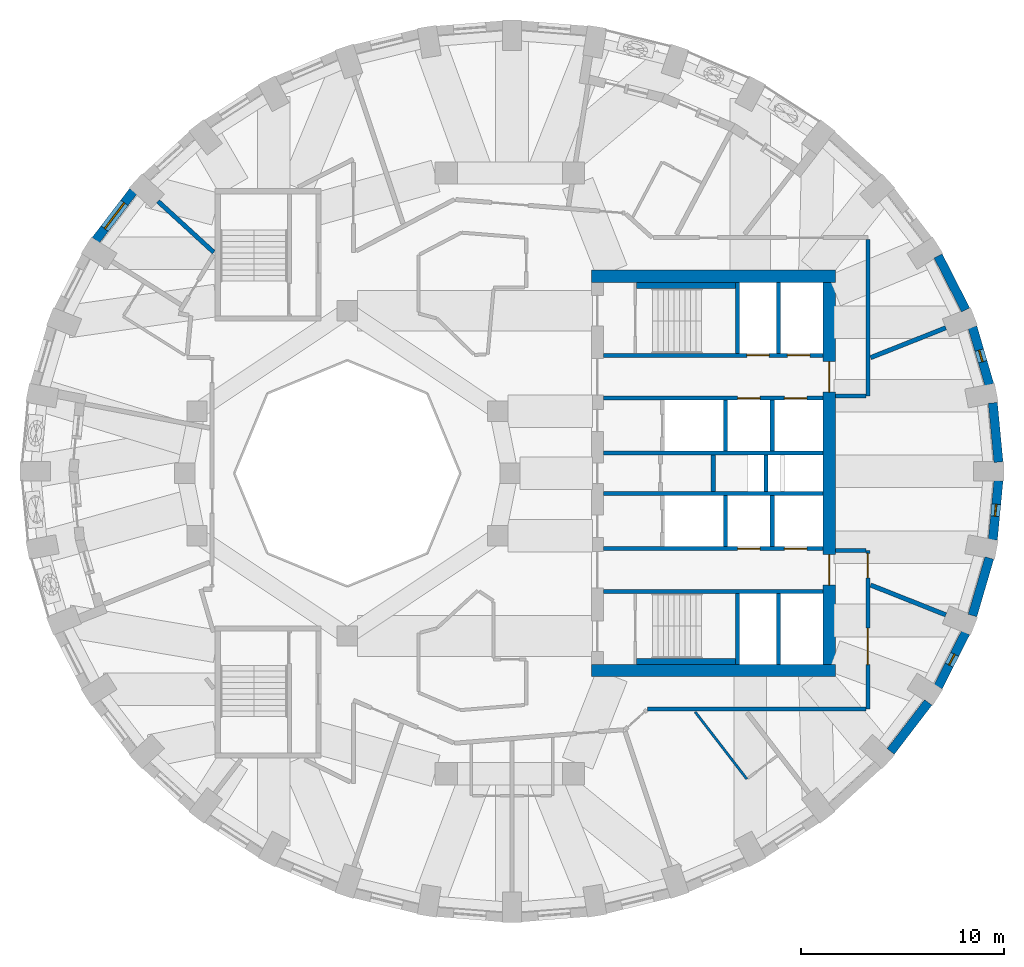
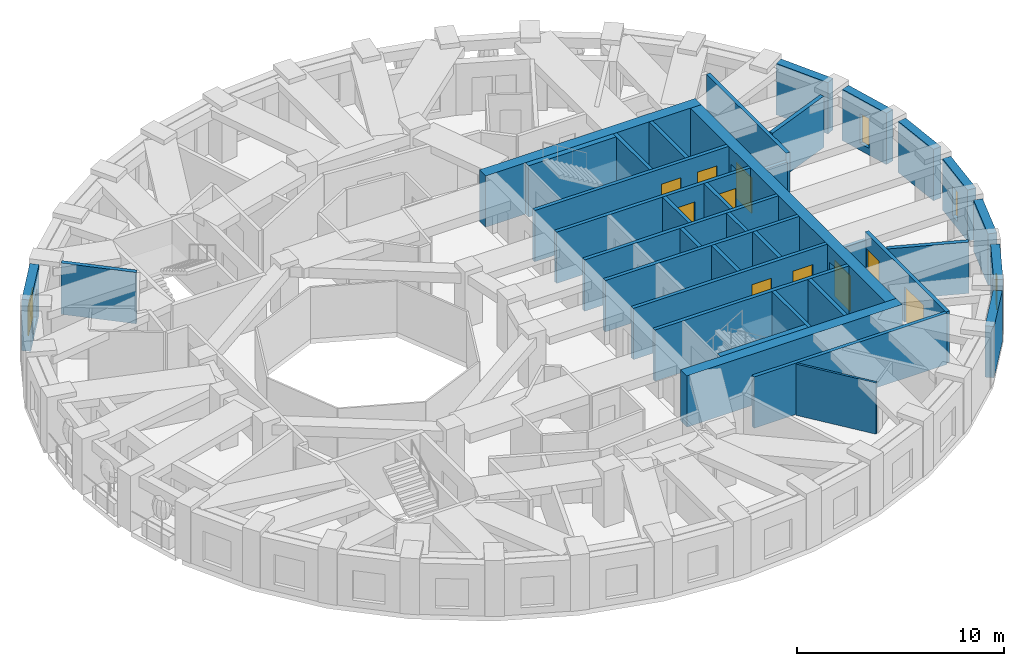
# One storey, part 6 of 12: 38 walls, 10 doors, 4 windows, 14 openings.
"""IFC4 building model written with IfcOpenShell, lengths in metres."""

import ifcopenshell
import ifcopenshell.guid

model = None  # the IFC model being written
_history = None  # IfcOwnerHistory: only IFC2X3 demands one
_inside = {}  # id of a spatial element -> (the spatial element, [elements in it])
_under = {}  # id of a project, library or spatial element -> (it, [spatial elements below it])
_declared = {}  # id of a project -> (the project, [libraries it declares])
_typed = {}  # id of a type object -> (the type object, [elements of that type])
_made_of = {}  # id of a material, layer set ... -> (it, [elements and type objects made of it])


def new_model(schema):
    """Start an empty IFC model of exactly this schema.

    Asked for "IFC4X3", IfcOpenShell would pick the latest addendum, in which some entities
    have other attributes; the version numbers below select the first issue.
    IFC2X3 requires an IfcOwnerHistory on every rooted entity: one is made here for all.
    """
    global model, _history
    if schema == "IFC4X3":
        model = ifcopenshell.file(schema_version=(4, 3, 0, 0))
    else:
        model = ifcopenshell.file(schema=schema)
    _inside.clear()
    _under.clear()
    _declared.clear()
    _typed.clear()
    _made_of.clear()
    _history = None
    if model.schema == "IFC2X3":
        org = make("IfcOrganization", Name="unknown")
        user = make(
            "IfcPersonAndOrganization",
            ThePerson=make("IfcPerson", FamilyName="unknown"),
            TheOrganization=org,
        )
        app = make(
            "IfcApplication",
            ApplicationDeveloper=org,
            Version="unknown",
            ApplicationFullName="unknown",
            ApplicationIdentifier="unknown",
        )
        _history = make(
            "IfcOwnerHistory",
            OwningUser=user,
            OwningApplication=app,
            ChangeAction="ADDED",
            CreationDate=0,
        )
    return model


def make(cls, **values):
    """One entity of the class cls with the attributes given. An attribute that is None is left unset."""
    return model.create_entity(
        cls, **{name: value for name, value in values.items() if value is not None}
    )


def rooted(cls, **values):
    """An entity with a GlobalId (a new one), such as an element, a storey or a relation."""
    return make(cls, GlobalId=ifcopenshell.guid.new(), OwnerHistory=_history, **values)


def si_unit(unit_type, name, prefix=None):
    """IfcSIUnit, for example si_unit("LENGTHUNIT", "METRE", prefix="MILLI")."""
    return make("IfcSIUnit", UnitType=unit_type, Prefix=prefix, Name=name)


def assignment(units):
    """IfcUnitAssignment: the units of a project."""
    return None if units is None else make("IfcUnitAssignment", Units=units)


def point(xyz):
    """IfcCartesianPoint."""
    return None if xyz is None else make("IfcCartesianPoint", Coordinates=xyz)


def direction(xyz):
    """IfcDirection."""
    return None if xyz is None else make("IfcDirection", DirectionRatios=xyz)


def frame(location, z_axis=None, x_axis=None):
    """IfcAxis2Placement3D, a coordinate frame: its origin and axes. An axis left out is left unset."""
    return make(
        "IfcAxis2Placement3D",
        Location=point(location),
        Axis=direction(z_axis),
        RefDirection=direction(x_axis),
    )


def frame_2d(location, x_axis=None):
    """IfcAxis2Placement2D, a coordinate frame in the plane: its origin and x axis."""
    return make(
        "IfcAxis2Placement2D", Location=point(location), RefDirection=direction(x_axis)
    )


def origin():
    """The frame at (0, 0, 0) with its axes left unset."""
    return frame((0.0, 0.0, 0.0))


def place(relative_to, where):
    """IfcLocalPlacement: puts the frame where relative to a parent placement (None: the world)."""
    return make(
        "IfcLocalPlacement", PlacementRelTo=relative_to, RelativePlacement=where
    )


def context(
    kind, dimensions, precision=None, world=None, true_north=None, identifier=None
):
    """IfcGeometricRepresentationContext, for example the 3D "Model" context."""
    return make(
        "IfcGeometricRepresentationContext",
        ContextIdentifier=identifier,
        ContextType=kind,
        CoordinateSpaceDimension=dimensions,
        Precision=precision,
        WorldCoordinateSystem=world,
        TrueNorth=true_north,
    )


def subcontext(parent, identifier, kind, view, scale=None):
    """IfcGeometricRepresentationSubContext, for example "Body" below "Model"."""
    return make(
        "IfcGeometricRepresentationSubContext",
        ContextIdentifier=identifier,
        ContextType=kind,
        ParentContext=parent,
        TargetScale=scale,
        TargetView=view,
    )


def project(units=None, contexts=None):
    """IfcProject with its units and contexts."""
    return rooted(
        "IfcProject",
        Name="project",
        RepresentationContexts=contexts,
        UnitsInContext=assignment(units),
    )


def spatial(cls, under=None, at=None, **own):
    """A site, building, storey or space (cls), placed at a placement, below another one or the project."""
    s = rooted(cls, ObjectPlacement=at, **own)
    if under is not None:
        _under.setdefault(under.id(), (under, []))[1].append(s)
    return s


def profile(cls, at=None, kind="AREA", **sizes):
    """A parametric profile (cls). Its sizes go by their IFC names, for example OverallWidth=200.0."""
    return make(cls, ProfileType=kind, Position=at, **sizes)


def rectangle(**sizes):
    """IfcRectangleProfileDef."""
    return profile("IfcRectangleProfileDef", **sizes)


def extrude(swept, where, along, depth):
    """IfcExtrudedAreaSolid: the profile swept, set in the frame where, extruded along a direction by depth."""
    return make(
        "IfcExtrudedAreaSolid",
        SweptArea=swept,
        Position=where,
        ExtrudedDirection=direction(along),
        Depth=depth,
    )


def shape(context_of_items, identifier, shape_type, items):
    """IfcShapeRepresentation: the items that make up one representation, for example the "Body"."""
    return make(
        "IfcShapeRepresentation",
        ContextOfItems=context_of_items,
        RepresentationIdentifier=identifier,
        RepresentationType=shape_type,
        Items=items,
    )


def material(Name=None, Category=None):
    """IfcMaterial."""
    return make("IfcMaterial", Name=Name, Category=Category)


def layer(
    of_material, thickness, ventilated=None, Name=None, Category=None, Priority=None
):
    """IfcMaterialLayer: one layer of a wall or slab, of a material (None: an air gap)."""
    return make(
        "IfcMaterialLayer",
        Material=of_material,
        LayerThickness=thickness,
        IsVentilated=ventilated,
        Name=Name,
        Category=Category,
        Priority=Priority,
    )


def layer_set(layers, Name=None):
    """IfcMaterialLayerSet."""
    return make("IfcMaterialLayerSet", MaterialLayers=layers, LayerSetName=Name)


def made_of(thing, what):
    """Note that an element or type object is made of a material, layer set ...; save() writes the relation."""
    if what is not None:
        _made_of.setdefault(what.id(), (what, []))[1].append(thing)
    return thing


def type_object(cls, material=None, **own):
    """A type object (cls), such as IfcWallType, which elements share."""
    return made_of(rooted(cls, **own), material)


def element(
    cls,
    number,
    at=None,
    inside=None,
    cuts=None,
    type_object=None,
    material=None,
    context=None,
    identifier="Body",
    shape_type=None,
    held_by="IfcProductDefinitionShape",
    body=None,
    shapes=None,
    **own,
):
    """One element of the class cls, such as IfcWall. Its Tag is "e" and its number.

    at: its placement. inside: the storey or other place that contains it. cuts: it is an
    opening in that element (IfcRelVoidsElement). A single representation is given by context,
    identifier, shape_type and body (its items); several are given by shapes. held_by: the class
    of the entity that holds the representations. save() writes the other relations.
    """
    e = rooted(cls, Tag="e%d" % number, ObjectPlacement=at, **own)
    if body is not None:
        shapes = [shape(context, identifier, shape_type, body)]
    if shapes is not None:
        e.Representation = make(held_by, Representations=shapes)
    if inside is not None:
        _inside.setdefault(inside.id(), (inside, []))[1].append(e)
    if cuts is not None:
        rooted(
            "IfcRelVoidsElement", RelatingBuildingElement=cuts, RelatedOpeningElement=e
        )
    if type_object is not None:
        _typed.setdefault(type_object.id(), (type_object, []))[1].append(e)
    return made_of(e, material)


def fill(opening, filler):
    """IfcRelFillsElement: the door or window that sits in an opening."""
    return rooted(
        "IfcRelFillsElement",
        RelatingOpeningElement=opening,
        RelatedBuildingElement=filler,
    )


def aggregate(whole, parts):
    """IfcRelAggregates: a whole, such as a stair, and the parts it consists of."""
    return rooted("IfcRelAggregates", RelatingObject=whole, RelatedObjects=parts)


def save(model, path):
    """Write the relations noted so far, then the file.

    IfcRelAggregates (storeys below a building ...), IfcRelContainedInSpatialStructure (elements
    in a storey), IfcRelDefinesByType, IfcRelAssociatesMaterial and IfcRelDeclares: one each for
    every whole, place, type object, material and project.
    """
    for whole, parts in _under.values():
        aggregate(whole, parts)
    for where, things in _inside.values():
        rooted(
            "IfcRelContainedInSpatialStructure",
            RelatedElements=things,
            RelatingStructure=where,
        )
    for kind, things in _typed.values():
        rooted("IfcRelDefinesByType", RelatedObjects=things, RelatingType=kind)
    for what, things in _made_of.values():
        rooted("IfcRelAssociatesMaterial", RelatedObjects=things, RelatingMaterial=what)
    for by, libraries in _declared.values():
        rooted("IfcRelDeclares", RelatingContext=by, RelatedDefinitions=libraries)
    model.write(path)


model = new_model("IFC4")

# Units and contexts
model_context = context("Model", 3, precision=1e-05, world=origin(), true_north=direction((0.0, 1.0)))
body_context = subcontext(model_context, "Body", "Model", "MODEL_VIEW")
ifc_project = project(units=[si_unit("LENGTHUNIT", "METRE"), si_unit("AREAUNIT", "SQUARE_METRE"), si_unit("VOLUMEUNIT", "CUBIC_METRE"), si_unit("PLANEANGLEUNIT", "RADIAN"), si_unit("MASSUNIT", "GRAM", prefix="KILO")], contexts=[model_context])

# Site, building, storey
site_placement = place(None, origin())
site = spatial("IfcSite", under=ifc_project, at=site_placement, CompositionType="ELEMENT")
building_placement = place(site_placement, origin())
building = spatial("IfcBuilding", under=site, at=building_placement, Name="Taillehof Tower", CompositionType="ELEMENT")
storey_placement = place(building_placement, frame((0.0, 0.0, 151.699951171875)))
storey = spatial("IfcBuildingStorey", under=building, at=storey_placement, Name="L42", CompositionType="ELEMENT", Elevation=151.699951171875)

# Wall
ifc_material_1 = material(Name="Brick masonry", Category="masonry")
ifc_layer_1 = layer(ifc_material_1, 0.449951171875)
ifc_layer_set_1 = layer_set([ifc_layer_1], Name="Brick infill wall 450")
wall_type_1 = type_object("IfcWallType", Name="Brick infill wall 450", PredefinedType="SOLIDWALL", material=ifc_layer_set_1)
wall_1_placement = place(storey_placement, frame((24.030517578125, 0.55517578125, 0.0), z_axis=(0.0, 0.0, 1.0), x_axis=(-0.095265737322, 0.995451876935, 0.0)))
element("IfcWall", 1, at=wall_1_placement, inside=storey, type_object=wall_type_1, Name="Brick wall L42 bay 1", PredefinedType="SOLIDWALL", context=body_context, shape_type="SweptSolid", body=[
    extrude(rectangle(XDim=2.9267578125, YDim=0.449951171875, at=frame_2d((1.46337890625, 0.0))), origin(), (0.0, 0.0, 1.0), 3.02001953125),
])

# Wall, opening, window
wall_2_placement = place(storey_placement, frame((23.579833984375, 4.3623046875, 0.0), z_axis=(0.0, 0.0, 1.0), x_axis=(-0.281049481624, 0.959693278542, 0.0)))
wall_2 = element("IfcWall", 2, at=wall_2_placement, inside=storey, type_object=wall_type_1, Name="Brick wall L42 bay 2", PredefinedType="SOLIDWALL", context=body_context, shape_type="SweptSolid", body=[
    extrude(rectangle(XDim=2.947509765625, YDim=0.449951171875, at=frame_2d((1.4736328125, 0.0))), origin(), (0.0, 0.0, 1.0), 3.02001953125),
])
opening_1_placement = place(wall_2_placement, frame((1.173583984375, 0.0, 0.39990234375)))
opening_1 = element("IfcOpeningElement", 3, at=opening_1_placement, cuts=wall_2, Name="Opening W6", PredefinedType="OPENING", context=body_context, shape_type="SweptSolid", body=[
    extrude(rectangle(XDim=0.60009765625, YDim=1.75, at=frame_2d((0.300048828125, 0.875))), frame((0.0, 0.23486328125, 0.0), z_axis=(0.0, -1.0, 0.0), x_axis=(1.0, 0.0, 0.0)), (0.0, 0.0, 1.0), 0.469970703125),
])
ifc_material_2 = material(Name="Aluminium window frame with clear double glazing", Category="aluminium")
window_type_1 = type_object("IfcWindowType", Name="Slot window 600x1750", PartitioningType="SINGLE_PANEL", PredefinedType="WINDOW", material=ifc_material_2)
window_1_placement = place(opening_1_placement, origin())
window_1 = element("IfcWindow", 4, at=window_1_placement, inside=storey, type_object=window_type_1, Name="W6", OverallHeight=1.75, OverallWidth=0.60009765625, PartitioningType="SINGLE_PANEL", PredefinedType="WINDOW", context=body_context, shape_type="SweptSolid", body=[
    extrude(rectangle(XDim=0.60009765625, YDim=1.75, at=frame_2d((0.300048828125, 0.875))), frame((0.0, 0.034912109375, 0.0), z_axis=(0.0, -1.0, 0.0), x_axis=(1.0, 0.0, 0.0)), (0.0, 0.0, 1.0), 0.06005859375),
])
fill(opening_1, window_1)

# Wall
wall_3_placement = place(storey_placement, frame((22.415283203125, 8.036865234375, 0.0), z_axis=(0.0, 0.0, 1.0), x_axis=(-0.454133999889, 0.890933392653, 0.0)))
element("IfcWall", 5, at=wall_3_placement, inside=storey, type_object=wall_type_1, Name="Brick wall L42 bay 3", PredefinedType="SOLIDWALL", context=body_context, shape_type="SweptSolid", body=[
    extrude(rectangle(XDim=2.98583984375, YDim=0.449951171875, at=frame_2d((1.492919921875, 0.0))), origin(), (0.0, 0.0, 1.0), 3.02001953125),
])

# Wall, opening, window
wall_4_placement = place(storey_placement, frame((-18.528076171875, 13.878662109375, 0.0), z_axis=(0.0, 0.0, 1.0), x_axis=(-0.607817056371, -0.794077090706, 0.0)))
wall_4 = element("IfcWall", 6, at=wall_4_placement, inside=storey, type_object=wall_type_1, Name="Brick wall L42 bay 15", PredefinedType="SOLIDWALL", context=body_context, shape_type="SweptSolid", body=[
    extrude(rectangle(XDim=3.037109375, YDim=0.449951171875, at=frame_2d((1.5185546875, 0.0))), origin(), (0.0, 0.0, 1.0), 3.02001953125),
])
opening_2_placement = place(wall_4_placement, frame((0.718505859375, 0.0, 0.39990234375)))
opening_2 = element("IfcOpeningElement", 7, at=opening_2_placement, cuts=wall_4, Name="Opening W3", PredefinedType="OPENING", context=body_context, shape_type="SweptSolid", body=[
    extrude(rectangle(XDim=1.60009765625, YDim=1.75, at=frame_2d((0.800048828125, 0.875))), frame((0.0, 0.23486328125, 0.0), z_axis=(0.0, -1.0, 0.0), x_axis=(1.0, 0.0, 0.0)), (0.0, 0.0, 1.0), 0.469970703125),
])
ifc_material_3 = material(Name="Aluminium window frame with clear double glazing", Category="aluminium")
window_type_2 = type_object("IfcWindowType", Name="Deep-set window 1600x1750", PartitioningType="SINGLE_PANEL", PredefinedType="WINDOW", material=ifc_material_3)
window_2_placement = place(opening_2_placement, origin())
window_2 = element("IfcWindow", 8, at=window_2_placement, inside=storey, type_object=window_type_2, Name="W3", OverallHeight=1.75, OverallWidth=1.60009765625, PartitioningType="SINGLE_PANEL", PredefinedType="WINDOW", context=body_context, shape_type="SweptSolid", body=[
    extrude(rectangle(XDim=1.60009765625, YDim=1.75, at=frame_2d((0.800048828125, 0.875))), frame((0.0, 0.034912109375, 0.0), z_axis=(0.0, -1.0, 0.0), x_axis=(1.0, 0.0, 0.0)), (0.0, 0.0, 1.0), 0.06005859375),
])
fill(opening_2, window_2)

# Wall
wall_5_placement = place(storey_placement, frame((18.72802734375, -13.6787109375, 0.0), z_axis=(0.0, 0.0, 1.0), x_axis=(0.607817056371, 0.794077090706, 0.0)))
element("IfcWall", 9, at=wall_5_placement, inside=storey, type_object=wall_type_1, Name="Brick wall L42 bay 33", PredefinedType="SOLIDWALL", context=body_context, shape_type="SweptSolid", body=[
    extrude(rectangle(XDim=3.037109375, YDim=0.449951171875, at=frame_2d((1.5185546875, 0.0))), origin(), (0.0, 0.0, 1.0), 3.02001953125),
])

# Wall, opening, window
wall_6_placement = place(storey_placement, frame((21.059326171875, -10.4970703125, 0.0), z_axis=(0.0, 0.0, 1.0), x_axis=(0.454133999889, 0.890933392653, 0.0)))
wall_6 = element("IfcWall", 10, at=wall_6_placement, inside=storey, type_object=wall_type_1, Name="Brick wall L42 bay 34", PredefinedType="SOLIDWALL", context=body_context, shape_type="SweptSolid", body=[
    extrude(rectangle(XDim=2.98583984375, YDim=0.449951171875, at=frame_2d((1.492919921875, 0.0))), origin(), (0.0, 0.0, 1.0), 3.02001953125),
])
opening_3_placement = place(wall_6_placement, frame((1.19287109375, 0.0, 0.39990234375)))
opening_3 = element("IfcOpeningElement", 11, at=opening_3_placement, cuts=wall_6, Name="Opening W6", PredefinedType="OPENING", context=body_context, shape_type="SweptSolid", body=[
    extrude(rectangle(XDim=0.60009765625, YDim=1.75, at=frame_2d((0.300048828125, 0.875))), frame((0.0, 0.23486328125, 0.0), z_axis=(0.0, -1.0, 0.0), x_axis=(1.0, 0.0, 0.0)), (0.0, 0.0, 1.0), 0.469970703125),
])
window_3_placement = place(opening_3_placement, origin())
window_3 = element("IfcWindow", 12, at=window_3_placement, inside=storey, type_object=window_type_1, Name="W6", OverallHeight=1.75, OverallWidth=0.60009765625, PartitioningType="SINGLE_PANEL", PredefinedType="WINDOW", context=body_context, shape_type="SweptSolid", body=[
    extrude(rectangle(XDim=0.60009765625, YDim=1.75, at=frame_2d((0.300048828125, 0.875))), frame((0.0, 0.034912109375, 0.0), z_axis=(0.0, -1.0, 0.0), x_axis=(1.0, 0.0, 0.0)), (0.0, 0.0, 1.0), 0.06005859375),
])
fill(opening_3, window_3)

# Wall
wall_7_placement = place(storey_placement, frame((22.75146484375, -6.990966796875, 0.0), z_axis=(0.0, 0.0, 1.0), x_axis=(0.281049481624, 0.959693278542, 0.0)))
element("IfcWall", 13, at=wall_7_placement, inside=storey, type_object=wall_type_1, Name="Brick wall L42 bay 35", PredefinedType="SOLIDWALL", context=body_context, shape_type="SweptSolid", body=[
    extrude(rectangle(XDim=2.947509765625, YDim=0.449951171875, at=frame_2d((1.4736328125, 0.0))), origin(), (0.0, 0.0, 1.0), 3.02001953125),
])

# Wall, opening, window
wall_8_placement = place(storey_placement, frame((23.751708984375, -3.2685546875, 0.0), z_axis=(0.0, 0.0, 1.0), x_axis=(0.095257827044, 0.995452633924, 0.0)))
wall_8 = element("IfcWall", 14, at=wall_8_placement, inside=storey, type_object=wall_type_1, Name="Brick wall L42 bay 36", PredefinedType="SOLIDWALL", context=body_context, shape_type="SweptSolid", body=[
    extrude(rectangle(XDim=2.927001953125, YDim=0.449951171875, at=frame_2d((1.46337890625, 0.0))), origin(), (0.0, 0.0, 1.0), 3.02001953125),
])
opening_4_placement = place(wall_8_placement, frame((1.163330078125, 0.0, 0.39990234375)))
opening_4 = element("IfcOpeningElement", 15, at=opening_4_placement, cuts=wall_8, Name="Opening W6", PredefinedType="OPENING", context=body_context, shape_type="SweptSolid", body=[
    extrude(rectangle(XDim=0.60009765625, YDim=1.75, at=frame_2d((0.300048828125, 0.875))), frame((0.0, 0.23486328125, 0.0), z_axis=(0.0, -1.0, 0.0), x_axis=(1.0, 0.0, 0.0)), (0.0, 0.0, 1.0), 0.469970703125),
])
window_4_placement = place(opening_4_placement, origin())
window_4 = element("IfcWindow", 16, at=window_4_placement, inside=storey, type_object=window_type_1, Name="W6", OverallHeight=1.75, OverallWidth=0.60009765625, PartitioningType="SINGLE_PANEL", PredefinedType="WINDOW", context=body_context, shape_type="SweptSolid", body=[
    extrude(rectangle(XDim=0.60009765625, YDim=1.75, at=frame_2d((0.300048828125, 0.875))), frame((0.0, 0.034912109375, 0.0), z_axis=(0.0, -1.0, 0.0), x_axis=(1.0, 0.0, 0.0)), (0.0, 0.0, 1.0), 0.06005859375),
])
fill(opening_4, window_4)

# Walls
ifc_material_4 = material(Name="Calcium silicate masonry", Category="masonry")
ifc_layer_2 = layer(ifc_material_4, 0.199951171875)
ifc_layer_set_2 = layer_set([ifc_layer_2], Name="Compartment wall calcium silicate 200")
wall_type_2 = type_object("IfcWallType", Name="Compartment wall calcium silicate 200", PredefinedType="PARTITIONING", material=ifc_layer_set_2)
for number, where, z_axis, x_axis, name in (
    (17, (10.0, -0.89990234375, 0.0), (0.0, 0.0, 1.0), (0.0, 1.0, 0.0), "Compartment wall FW"),
    (18, (12.60009765625, -0.89990234375, 0.0), (0.0, 0.0, 1.0), (0.0, 1.0, 0.0), "Compartment wall FW"),
):
    element("IfcWall", number, at=place(storey_placement, frame(where, z_axis=z_axis, x_axis=x_axis)), inside=storey, type_object=wall_type_2, Name=name, PredefinedType="PARTITIONING", context=body_context, shape_type="SweptSolid", body=[
        extrude(rectangle(XDim=1.7998046875, YDim=0.199951171875, at=frame_2d((0.89990234375, 0.0))), origin(), (0.0, 0.0, 1.0), 3.02001953125),
    ])

# Wall, openings, doors
ifc_material_5 = material(Name="Gypsum board on steel studs, two layers each side", Category="steel")
ifc_layer_3 = layer(ifc_material_5, 0.199951171875)
ifc_layer_set_3 = layer_set([ifc_layer_3], Name="Compartment wall corridor 200")
wall_type_3 = type_object("IfcWallType", Name="Compartment wall corridor 200", PredefinedType="PARTITIONING", material=ifc_layer_set_3)
wall_9_placement = place(storey_placement, frame((17.60009765625, -3.800048828125, 0.0), z_axis=(0.0, 0.0, 1.0), x_axis=(0.0, -1.0, 0.0)))
wall_9 = element("IfcWall", 19, at=wall_9_placement, inside=storey, type_object=wall_type_3, Name="Compartment wall", PredefinedType="PARTITIONING", context=body_context, shape_type="SweptSolid", body=[
    extrude(rectangle(XDim=7.800048828125, YDim=0.199951171875, at=frame_2d((3.89990234375, 0.0))), origin(), (0.0, 0.0, 1.0), 3.02001953125),
])
opening_5_placement = place(wall_9_placement, frame((3.81298828125, 0.0, 0.0)))
opening_5 = element("IfcOpeningElement", 20, at=opening_5_placement, cuts=wall_9, Name="Opening D4257", PredefinedType="OPENING", context=body_context, shape_type="SweptSolid", body=[
    extrude(rectangle(XDim=1.800048828125, YDim=2.10009765625, at=frame_2d((0.89990234375, 1.050048828125))), frame((0.0, 0.10986328125, 0.0), z_axis=(0.0, -1.0, 0.0), x_axis=(1.0, 0.0, 0.0)), (0.0, 0.0, 1.0), 0.219970703125),
])
opening_6_placement = place(wall_9_placement, frame((0.139892578125, 0.0, 0.0)))
opening_6 = element("IfcOpeningElement", 21, at=opening_6_placement, cuts=wall_9, Name="Opening D4258", PredefinedType="OPENING", context=body_context, shape_type="SweptSolid", body=[
    extrude(rectangle(XDim=1.199951171875, YDim=2.10009765625, at=frame_2d((0.60009765625, 1.050048828125))), frame((0.0, 0.10986328125, 0.0), z_axis=(0.0, -1.0, 0.0), x_axis=(1.0, 0.0, 0.0)), (0.0, 0.0, 1.0), 0.219970703125),
])
ifc_material_6 = material(Name="Timber door leaf in steel frame", Category="steel")
door_type_1 = type_object("IfcDoorType", Name="Lounge and meeting room double door EI 30 1800 x 2100", OperationType="SINGLE_SWING_LEFT", PredefinedType="DOOR", material=ifc_material_6)
door_1_placement = place(opening_5_placement, origin())
door_1 = element("IfcDoor", 22, at=door_1_placement, inside=storey, type_object=door_type_1, Name="D4257", OperationType="DOUBLE_DOOR_SINGLE_SWING", OverallHeight=2.10009765625, OverallWidth=1.800048828125, PredefinedType="DOOR", context=body_context, shape_type="SweptSolid", body=[
    extrude(rectangle(XDim=1.800048828125, YDim=2.10009765625, at=frame_2d((0.89990234375, 1.050048828125))), frame((0.0, 0.02490234375, 0.0), z_axis=(0.0, -1.0, 0.0), x_axis=(1.0, 0.0, 0.0)), (0.0, 0.0, 1.0), 0.050048828125),
])
fill(opening_5, door_1)
ifc_material_7 = material(Name="Timber door leaf in steel frame", Category="steel")
door_type_2 = type_object("IfcDoorType", Name="Suite entrance door EI 30 1200 x 2100", OperationType="SINGLE_SWING_LEFT", PredefinedType="DOOR", material=ifc_material_7)
door_2_placement = place(opening_6_placement, origin())
door_2 = element("IfcDoor", 23, at=door_2_placement, inside=storey, type_object=door_type_2, Name="D4258", OperationType="SINGLE_SWING_RIGHT", OverallHeight=2.10009765625, OverallWidth=1.199951171875, PredefinedType="DOOR", context=body_context, shape_type="SweptSolid", body=[
    extrude(rectangle(XDim=1.199951171875, YDim=2.10009765625, at=frame_2d((0.60009765625, 1.050048828125))), frame((0.0, 0.02490234375, 0.0), z_axis=(0.0, -1.0, 0.0), x_axis=(1.0, 0.0, 0.0)), (0.0, 0.0, 1.0), 0.050048828125),
])
fill(opening_6, door_2)

# Walls
wall_10_placement = place(storey_placement, frame((17.5, -11.60009765625, 0.0), z_axis=(0.0, 0.0, 1.0), x_axis=(-1.0, 0.0, 0.0)))
element("IfcWall", 24, at=wall_10_placement, inside=storey, type_object=wall_type_3, Name="Compartment wall", PredefinedType="PARTITIONING", context=body_context, shape_type="SweptSolid", body=[
    extrude(rectangle(XDim=10.732421875, YDim=0.199951171875, at=frame_2d((5.3662109375, 0.0))), origin(), (0.0, 0.0, 1.0), 3.02001953125),
])
wall_11_placement = place(storey_placement, frame((17.60009765625, 11.5, 0.0), z_axis=(0.0, 0.0, 1.0), x_axis=(0.0, -1.0, 0.0)))
element("IfcWall", 25, at=wall_11_placement, inside=storey, type_object=wall_type_3, Name="Compartment wall", PredefinedType="PARTITIONING", context=body_context, shape_type="SweptSolid", body=[
    extrude(rectangle(XDim=7.699951171875, YDim=0.199951171875, at=frame_2d((3.85009765625, 0.0))), origin(), (0.0, 0.0, 1.0), 3.02001953125),
])
for number, where, z_axis, x_axis, name in (
    (26, (17.5, 3.800048828125, 0.0), (0.0, 0.0, 1.0), (-1.0, 0.0, 0.0), "Compartment wall"),
    (27, (16.00390625, -3.800048828125, 0.0), (0.0, 0.0, 1.0), (1.0, 0.0, 0.0), "Compartment wall"),
):
    element("IfcWall", number, at=place(storey_placement, frame(where, z_axis=z_axis, x_axis=x_axis)), inside=storey, type_object=wall_type_3, Name=name, PredefinedType="PARTITIONING", context=body_context, shape_type="SweptSolid", body=[
        extrude(rectangle(XDim=1.49609375, YDim=0.199951171875, at=frame_2d((0.748046875, 0.0))), origin(), (0.0, 0.0, 1.0), 2.570068359375),
    ])
ifc_material_8 = material(Name="Gypsum board on double steel studs with mineral wool", Category="steel")
ifc_layer_4 = layer(ifc_material_8, 0.219970703125)
ifc_layer_set_4 = layer_set([ifc_layer_4], Name="Compartment wall guest room 220")
wall_type_4 = type_object("IfcWallType", Name="Compartment wall guest room 220", PredefinedType="PARTITIONING", material=ifc_layer_set_4)
wall_12_placement = place(storey_placement, frame((21.438720703125, 7.15966796875, 0.0), z_axis=(0.0, 0.0, 1.0), x_axis=(-0.929517399972, -0.368778257426, 0.0)))
element("IfcWall", 28, at=wall_12_placement, inside=storey, type_object=wall_type_4, Name="Compartment wall", PredefinedType="PARTITIONING", context=body_context, shape_type="SweptSolid", body=[
    extrude(rectangle(XDim=3.982177734375, YDim=0.219970703125, at=frame_2d((1.9912109375, 0.0))), origin(), (0.0, 0.0, 1.0), 3.02001953125),
])
wall_13_placement = place(storey_placement, frame((-17.310302734375, 13.381591796875, 0.0), z_axis=(0.0, 0.0, 1.0), x_axis=(0.737860436015, -0.674953314655, 0.0)))
element("IfcWall", 29, at=wall_13_placement, inside=storey, type_object=wall_type_4, Name="Compartment wall", PredefinedType="PARTITIONING", context=body_context, shape_type="SweptSolid", body=[
    extrude(rectangle(XDim=3.714111328125, YDim=0.219970703125, at=frame_2d((1.85693359375, 0.0))), origin(), (0.0, 0.0, 1.0), 3.02001953125),
])
wall_14_placement = place(storey_placement, frame((21.438720703125, -6.959716796875, 0.0), z_axis=(0.0, 0.0, 1.0), x_axis=(-0.929517399972, 0.368778257426, 0.0)))
element("IfcWall", 30, at=wall_14_placement, inside=storey, type_object=wall_type_4, Name="Compartment wall", PredefinedType="PARTITIONING", context=body_context, shape_type="SweptSolid", body=[
    extrude(rectangle(XDim=3.982177734375, YDim=0.219970703125, at=frame_2d((1.9912109375, 0.0))), origin(), (0.0, 0.0, 1.0), 3.02001953125),
])
ifc_material_9 = material(Name="Calcium silicate masonry", Category="masonry")
ifc_layer_5 = layer(ifc_material_9, 0.300048828125)
ifc_layer_set_5 = layer_set([ifc_layer_5], Name="Compartment wall lining calcium silicate 300")
wall_type_5 = type_object("IfcWallType", Name="Compartment wall lining calcium silicate 300", PredefinedType="PARTITIONING", material=ifc_layer_set_5)
for number, where, z_axis, x_axis, name in (
    (31, (6.219970703125, 9.25, 0.0), (0.0, 0.0, 1.0), (1.0, 0.0, 0.0), "Compartment wall FW"),
    (32, (6.219970703125, -9.25, 0.0), (0.0, 0.0, 1.0), (1.0, 0.0, 0.0), "Compartment wall FW"),
):
    element("IfcWall", number, at=place(storey_placement, frame(where, z_axis=z_axis, x_axis=x_axis)), inside=storey, type_object=wall_type_5, Name=name, PredefinedType="PARTITIONING", context=body_context, shape_type="SweptSolid", body=[
        extrude(rectangle(XDim=4.880126953125, YDim=0.300048828125, at=frame_2d((2.43994140625, 0.0))), origin(), (0.0, 0.0, 1.0), 3.02001953125),
    ])

# Wall, openings, doors
ifc_material_10 = material(Name="Concrete C80/95", Category="concrete")
ifc_layer_6 = layer(ifc_material_10, 0.60009765625)
ifc_layer_set_6 = layer_set([ifc_layer_6], Name="Core wall C80/95 600")
wall_type_6 = type_object("IfcWallType", Name="Core wall C80/95 600", PredefinedType="SHEAR", material=ifc_layer_set_6)
wall_15_placement = place(storey_placement, frame((15.699951171875, -9.39990234375, 0.0), z_axis=(0.0, 0.0, 1.0), x_axis=(0.0, 1.0, 0.0)))
wall_15 = element("IfcWall", 33, at=wall_15_placement, inside=storey, type_object=wall_type_6, Name="Core wall CW05", PredefinedType="SHEAR", context=body_context, shape_type="SweptSolid", body=[
    extrude(rectangle(XDim=18.7998046875, YDim=0.60009765625, at=frame_2d((9.39990234375, 0.0))), origin(), (0.0, 0.0, 1.0), 3.02001953125),
])
opening_7_placement = place(wall_15_placement, frame((13.39990234375, 0.0, 0.0)))
opening_7 = element("IfcOpeningElement", 34, at=opening_7_placement, cuts=wall_15, Name="Opening D4208", PredefinedType="OPENING", context=body_context, shape_type="SweptSolid", body=[
    extrude(rectangle(XDim=1.5, YDim=2.10009765625, at=frame_2d((0.75, 1.050048828125))), frame((0.0, 0.31005859375, 0.0), z_axis=(0.0, -1.0, 0.0), x_axis=(1.0, 0.0, 0.0)), (0.0, 0.0, 1.0), 0.6201171875),
])
opening_8_placement = place(wall_15_placement, frame((3.89990234375, 0.0, 0.0)))
opening_8 = element("IfcOpeningElement", 35, at=opening_8_placement, cuts=wall_15, Name="Opening D4209", PredefinedType="OPENING", context=body_context, shape_type="SweptSolid", body=[
    extrude(rectangle(XDim=1.5, YDim=2.10009765625, at=frame_2d((0.75, 1.050048828125))), frame((0.0, 0.31005859375, 0.0), z_axis=(0.0, -1.0, 0.0), x_axis=(1.0, 0.0, 0.0)), (0.0, 0.0, 1.0), 0.6201171875),
])
ifc_material_11 = material(Name="Steel-faced fire door", Category="steel")
door_type_3 = type_object("IfcDoorType", Name="Lift lobby east door 1500x2100", OperationType="DOUBLE_DOOR_SINGLE_SWING", PredefinedType="DOOR", material=ifc_material_11)
door_3_placement = place(opening_7_placement, origin())
door_3 = element("IfcDoor", 36, at=door_3_placement, inside=storey, type_object=door_type_3, Name="Lift lobby east door north", OperationType="DOUBLE_DOOR_SINGLE_SWING", OverallHeight=2.10009765625, OverallWidth=1.5, PredefinedType="DOOR", context=body_context, shape_type="SweptSolid", body=[
    extrude(rectangle(XDim=1.5, YDim=2.10009765625, at=frame_2d((0.75, 1.050048828125))), frame((0.0, 0.02490234375, 0.0), z_axis=(0.0, -1.0, 0.0), x_axis=(1.0, 0.0, 0.0)), (0.0, 0.0, 1.0), 0.050048828125),
])
fill(opening_7, door_3)
door_4_placement = place(opening_8_placement, origin())
door_4 = element("IfcDoor", 37, at=door_4_placement, inside=storey, type_object=door_type_3, Name="Lift lobby east door south", OperationType="DOUBLE_DOOR_SINGLE_SWING", OverallHeight=2.10009765625, OverallWidth=1.5, PredefinedType="DOOR", context=body_context, shape_type="SweptSolid", body=[
    extrude(rectangle(XDim=1.5, YDim=2.10009765625, at=frame_2d((0.75, 1.050048828125))), frame((0.0, 0.02490234375, 0.0), z_axis=(0.0, -1.0, 0.0), x_axis=(1.0, 0.0, 0.0)), (0.0, 0.0, 1.0), 0.050048828125),
])
fill(opening_8, door_4)

# Walls
for number, where, z_axis, x_axis, name in (
    (38, (4.0, 9.699951171875, 0.0), (0.0, 0.0, 1.0), (1.0, 0.0, 0.0), "Core wall CW06"),
    (39, (4.0, -9.699951171875, 0.0), (0.0, 0.0, 1.0), (1.0, 0.0, 0.0), "Core wall CW07"),
):
    element("IfcWall", number, at=place(storey_placement, frame(where, z_axis=z_axis, x_axis=x_axis)), inside=storey, type_object=wall_type_6, Name=name, PredefinedType="SHEAR", context=body_context, shape_type="SweptSolid", body=[
        extrude(rectangle(XDim=12.0, YDim=0.60009765625, at=frame_2d((6.0, 0.0))), origin(), (0.0, 0.0, 1.0), 3.02001953125),
    ])
ifc_material_12 = material(Name="Gypsum board on steel studs, moisture resistant", Category="steel")
ifc_layer_7 = layer(ifc_material_12, 0.1201171875)
ifc_layer_set_7 = layer_set([ifc_layer_7], Name="En-suite wall 120")
wall_type_7 = type_object("IfcWallType", Name="En-suite wall 120", PredefinedType="PARTITIONING", material=ifc_layer_set_7)
wall_16_placement = place(storey_placement, frame((9.108642578125, -11.73193359375, 0.0), z_axis=(0.0, 0.0, 1.0), x_axis=(0.609996270026, -0.79240428479, 0.0)))
element("IfcWall", 40, at=wall_16_placement, inside=storey, type_object=wall_type_7, Name="En-suite wall", PredefinedType="PARTITIONING", context=body_context, shape_type="SweptSolid", body=[
    extrude(rectangle(XDim=4.17333984375, YDim=0.1201171875, at=frame_2d((2.086669921875, 0.0))), origin(), (0.0, 0.0, 1.0), 3.02001953125),
])

# Wall, openings, doors
ifc_material_13 = material(Name="Concrete C50/60", Category="concrete")
ifc_layer_8 = layer(ifc_material_13, 0.199951171875)
ifc_layer_set_8 = layer_set([ifc_layer_8], Name="Shaft wall C50/60 200")
wall_type_8 = type_object("IfcWallType", Name="Shaft wall C50/60 200", PredefinedType="SHEAR", material=ifc_layer_set_8)
wall_17_placement = place(storey_placement, frame((4.60009765625, 5.800048828125, 0.0), z_axis=(0.0, 0.0, 1.0), x_axis=(1.0, 0.0, 0.0)))
wall_17 = element("IfcWall", 41, at=wall_17_placement, inside=storey, type_object=wall_type_8, Name="Shaft wall SW", PredefinedType="SHEAR", context=body_context, shape_type="SweptSolid", body=[
    extrude(rectangle(XDim=10.7998046875, YDim=0.199951171875, at=frame_2d((5.39990234375, 0.0))), origin(), (0.0, 0.0, 1.0), 3.02001953125),
])
opening_9_placement = place(wall_17_placement, frame((7.050048828125, 0.0, 0.0)))
opening_9 = element("IfcOpeningElement", 42, at=opening_9_placement, cuts=wall_17, Name="Opening LD1", PredefinedType="OPENING", context=body_context, shape_type="SweptSolid", body=[
    extrude(rectangle(XDim=1.10009765625, YDim=2.10009765625, at=frame_2d((0.550048828125, 1.050048828125))), frame((0.0, 0.10986328125, 0.0), z_axis=(0.0, -1.0, 0.0), x_axis=(1.0, 0.0, 0.0)), (0.0, 0.0, 1.0), 0.219970703125),
])
opening_10_placement = place(wall_17_placement, frame((9.050048828125, 0.0, 0.0)))
opening_10 = element("IfcOpeningElement", 43, at=opening_10_placement, cuts=wall_17, Name="Opening LD1", PredefinedType="OPENING", context=body_context, shape_type="SweptSolid", body=[
    extrude(rectangle(XDim=1.10009765625, YDim=2.10009765625, at=frame_2d((0.550048828125, 1.050048828125))), frame((0.0, 0.10986328125, 0.0), z_axis=(0.0, -1.0, 0.0), x_axis=(1.0, 0.0, 0.0)), (0.0, 0.0, 1.0), 0.219970703125),
])
ifc_material_14 = material(Name="Stainless steel", Category="steel")
door_type_4 = type_object("IfcDoorType", Name="Lift landing door LD1 1100x2100", OperationType="DOUBLE_DOOR_SLIDING", PredefinedType="DOOR", material=ifc_material_14)
door_5_placement = place(opening_9_placement, origin())
door_5 = element("IfcDoor", 44, at=door_5_placement, inside=storey, type_object=door_type_4, Name="Landing door HR1", OperationType="DOUBLE_DOOR_SLIDING", OverallHeight=2.10009765625, OverallWidth=1.10009765625, PredefinedType="DOOR", context=body_context, shape_type="SweptSolid", body=[
    extrude(rectangle(XDim=1.10009765625, YDim=2.10009765625, at=frame_2d((0.550048828125, 1.050048828125))), frame((0.0, 0.02490234375, 0.0), z_axis=(0.0, -1.0, 0.0), x_axis=(1.0, 0.0, 0.0)), (0.0, 0.0, 1.0), 0.050048828125),
])
fill(opening_9, door_5)
door_6_placement = place(opening_10_placement, origin())
door_6 = element("IfcDoor", 45, at=door_6_placement, inside=storey, type_object=door_type_4, Name="Landing door HR2", OperationType="DOUBLE_DOOR_SLIDING", OverallHeight=2.10009765625, OverallWidth=1.10009765625, PredefinedType="DOOR", context=body_context, shape_type="SweptSolid", body=[
    extrude(rectangle(XDim=1.10009765625, YDim=2.10009765625, at=frame_2d((0.550048828125, 1.050048828125))), frame((0.0, 0.02490234375, 0.0), z_axis=(0.0, -1.0, 0.0), x_axis=(1.0, 0.0, 0.0)), (0.0, 0.0, 1.0), 0.050048828125),
])
fill(opening_10, door_6)

wall_18_placement = place(storey_placement, frame((4.60009765625, 3.699951171875, 0.0), z_axis=(0.0, 0.0, 1.0), x_axis=(1.0, 0.0, 0.0)))
wall_18 = element("IfcWall", 46, at=wall_18_placement, inside=storey, type_object=wall_type_8, Name="Shaft wall SW", PredefinedType="SHEAR", context=body_context, shape_type="SweptSolid", body=[
    extrude(rectangle(XDim=10.7998046875, YDim=0.199951171875, at=frame_2d((5.39990234375, 0.0))), origin(), (0.0, 0.0, 1.0), 3.02001953125),
])
opening_11_placement = place(wall_18_placement, frame((6.60009765625, 0.0, 0.0)))
opening_11 = element("IfcOpeningElement", 47, at=opening_11_placement, cuts=wall_18, Name="Opening LD1", PredefinedType="OPENING", context=body_context, shape_type="SweptSolid", body=[
    extrude(rectangle(XDim=1.10009765625, YDim=2.10009765625, at=frame_2d((0.550048828125, 1.050048828125))), frame((0.0, 0.10986328125, 0.0), z_axis=(0.0, -1.0, 0.0), x_axis=(1.0, 0.0, 0.0)), (0.0, 0.0, 1.0), 0.219970703125),
])
opening_12_placement = place(wall_18_placement, frame((8.89990234375, 0.0, 0.0)))
opening_12 = element("IfcOpeningElement", 48, at=opening_12_placement, cuts=wall_18, Name="Opening LD1", PredefinedType="OPENING", context=body_context, shape_type="SweptSolid", body=[
    extrude(rectangle(XDim=1.10009765625, YDim=2.10009765625, at=frame_2d((0.550048828125, 1.050048828125))), frame((0.0, 0.10986328125, 0.0), z_axis=(0.0, -1.0, 0.0), x_axis=(1.0, 0.0, 0.0)), (0.0, 0.0, 1.0), 0.219970703125),
])
door_7_placement = place(opening_11_placement, origin())
door_7 = element("IfcDoor", 49, at=door_7_placement, inside=storey, type_object=door_type_4, Name="Landing door HR3", OperationType="DOUBLE_DOOR_SLIDING", OverallHeight=2.10009765625, OverallWidth=1.10009765625, PredefinedType="DOOR", context=body_context, shape_type="SweptSolid", body=[
    extrude(rectangle(XDim=1.10009765625, YDim=2.10009765625, at=frame_2d((0.550048828125, 1.050048828125))), frame((0.0, 0.02490234375, 0.0), z_axis=(0.0, -1.0, 0.0), x_axis=(1.0, 0.0, 0.0)), (0.0, 0.0, 1.0), 0.050048828125),
])
fill(opening_11, door_7)
door_8_placement = place(opening_12_placement, origin())
door_8 = element("IfcDoor", 50, at=door_8_placement, inside=storey, type_object=door_type_4, Name="Landing door HR4", OperationType="DOUBLE_DOOR_SLIDING", OverallHeight=2.10009765625, OverallWidth=1.10009765625, PredefinedType="DOOR", context=body_context, shape_type="SweptSolid", body=[
    extrude(rectangle(XDim=1.10009765625, YDim=2.10009765625, at=frame_2d((0.550048828125, 1.050048828125))), frame((0.0, 0.02490234375, 0.0), z_axis=(0.0, -1.0, 0.0), x_axis=(1.0, 0.0, 0.0)), (0.0, 0.0, 1.0), 0.050048828125),
])
fill(opening_12, door_8)

# Walls
for number, where, z_axis, x_axis, name in (
    (51, (4.60009765625, 1.0, 0.0), (0.0, 0.0, 1.0), (1.0, 0.0, 0.0), "Shaft wall SW"),
    (52, (4.60009765625, -1.0, 0.0), (0.0, 0.0, 1.0), (1.0, 0.0, 0.0), "Shaft wall SW"),
):
    element("IfcWall", number, at=place(storey_placement, frame(where, z_axis=z_axis, x_axis=x_axis)), inside=storey, type_object=wall_type_8, Name=name, PredefinedType="SHEAR", context=body_context, shape_type="SweptSolid", body=[
        extrude(rectangle(XDim=10.7998046875, YDim=0.199951171875, at=frame_2d((5.39990234375, 0.0))), origin(), (0.0, 0.0, 1.0), 3.02001953125),
    ])

# Wall, openings, doors
wall_19_placement = place(storey_placement, frame((4.60009765625, -3.699951171875, 0.0), z_axis=(0.0, 0.0, 1.0), x_axis=(1.0, 0.0, 0.0)))
wall_19 = element("IfcWall", 53, at=wall_19_placement, inside=storey, type_object=wall_type_8, Name="Shaft wall SW", PredefinedType="SHEAR", context=body_context, shape_type="SweptSolid", body=[
    extrude(rectangle(XDim=10.7998046875, YDim=0.199951171875, at=frame_2d((5.39990234375, 0.0))), origin(), (0.0, 0.0, 1.0), 3.02001953125),
])
opening_13_placement = place(wall_19_placement, frame((6.60009765625, 0.0, 0.0)))
opening_13 = element("IfcOpeningElement", 54, at=opening_13_placement, cuts=wall_19, Name="Opening LD1", PredefinedType="OPENING", context=body_context, shape_type="SweptSolid", body=[
    extrude(rectangle(XDim=1.10009765625, YDim=2.10009765625, at=frame_2d((0.550048828125, 1.050048828125))), frame((0.0, 0.10986328125, 0.0), z_axis=(0.0, -1.0, 0.0), x_axis=(1.0, 0.0, 0.0)), (0.0, 0.0, 1.0), 0.219970703125),
])
opening_14_placement = place(wall_19_placement, frame((8.89990234375, 0.0, 0.0)))
opening_14 = element("IfcOpeningElement", 55, at=opening_14_placement, cuts=wall_19, Name="Opening LD1", PredefinedType="OPENING", context=body_context, shape_type="SweptSolid", body=[
    extrude(rectangle(XDim=1.10009765625, YDim=2.10009765625, at=frame_2d((0.550048828125, 1.050048828125))), frame((0.0, 0.10986328125, 0.0), z_axis=(0.0, -1.0, 0.0), x_axis=(1.0, 0.0, 0.0)), (0.0, 0.0, 1.0), 0.219970703125),
])
door_9_placement = place(opening_13_placement, origin())
door_9 = element("IfcDoor", 56, at=door_9_placement, inside=storey, type_object=door_type_4, Name="Landing door HR5", OperationType="DOUBLE_DOOR_SLIDING", OverallHeight=2.10009765625, OverallWidth=1.10009765625, PredefinedType="DOOR", context=body_context, shape_type="SweptSolid", body=[
    extrude(rectangle(XDim=1.10009765625, YDim=2.10009765625, at=frame_2d((0.550048828125, 1.050048828125))), frame((0.0, 0.02490234375, 0.0), z_axis=(0.0, -1.0, 0.0), x_axis=(1.0, 0.0, 0.0)), (0.0, 0.0, 1.0), 0.050048828125),
])
fill(opening_13, door_9)
door_10_placement = place(opening_14_placement, origin())
door_10 = element("IfcDoor", 57, at=door_10_placement, inside=storey, type_object=door_type_4, Name="Landing door HR6", OperationType="DOUBLE_DOOR_SLIDING", OverallHeight=2.10009765625, OverallWidth=1.10009765625, PredefinedType="DOOR", context=body_context, shape_type="SweptSolid", body=[
    extrude(rectangle(XDim=1.10009765625, YDim=2.10009765625, at=frame_2d((0.550048828125, 1.050048828125))), frame((0.0, 0.02490234375, 0.0), z_axis=(0.0, -1.0, 0.0), x_axis=(1.0, 0.0, 0.0)), (0.0, 0.0, 1.0), 0.050048828125),
])
fill(opening_14, door_10)

# Walls
wall_20_placement = place(storey_placement, frame((4.60009765625, -5.800048828125, 0.0), z_axis=(0.0, 0.0, 1.0), x_axis=(1.0, 0.0, 0.0)))
element("IfcWall", 58, at=wall_20_placement, inside=storey, type_object=wall_type_8, Name="Shaft wall SW", PredefinedType="SHEAR", context=body_context, shape_type="SweptSolid", body=[
    extrude(rectangle(XDim=10.7998046875, YDim=0.199951171875, at=frame_2d((5.39990234375, 0.0))), origin(), (0.0, 0.0, 1.0), 3.02001953125),
])
for number, where, z_axis, x_axis, name in (
    (59, (11.199951171875, 5.89990234375, 0.0), (0.0, 0.0, 1.0), (0.0, 1.0, 0.0), "Shaft wall SW"),
    (60, (11.199951171875, -9.39990234375, 0.0), (0.0, 0.0, 1.0), (0.0, 1.0, 0.0), "Shaft wall SW"),
    (61, (13.199951171875, 5.89990234375, 0.0), (0.0, 0.0, 1.0), (0.0, 1.0, 0.0), "Shaft wall SW"),
    (62, (13.199951171875, -9.39990234375, 0.0), (0.0, 0.0, 1.0), (0.0, 1.0, 0.0), "Shaft wall SW"),
):
    element("IfcWall", number, at=place(storey_placement, frame(where, z_axis=z_axis, x_axis=x_axis)), inside=storey, type_object=wall_type_8, Name=name, PredefinedType="SHEAR", context=body_context, shape_type="SweptSolid", body=[
        extrude(rectangle(XDim=3.5, YDim=0.199951171875, at=frame_2d((1.75, 0.0))), origin(), (0.0, 0.0, 1.0), 3.02001953125),
    ])
for number, where, z_axis, x_axis, name in (
    (63, (10.60009765625, 1.10009765625, 0.0), (0.0, 0.0, 1.0), (0.0, 1.0, 0.0), "Shaft wall SW"),
    (64, (10.60009765625, -3.60009765625, 0.0), (0.0, 0.0, 1.0), (0.0, 1.0, 0.0), "Shaft wall SW"),
    (65, (12.89990234375, 1.10009765625, 0.0), (0.0, 0.0, 1.0), (0.0, 1.0, 0.0), "Shaft wall SW"),
    (66, (12.89990234375, -3.60009765625, 0.0), (0.0, 0.0, 1.0), (0.0, 1.0, 0.0), "Shaft wall SW"),
):
    element("IfcWall", number, at=place(storey_placement, frame(where, z_axis=z_axis, x_axis=x_axis)), inside=storey, type_object=wall_type_8, Name=name, PredefinedType="SHEAR", context=body_context, shape_type="SweptSolid", body=[
        extrude(rectangle(XDim=2.5, YDim=0.199951171875, at=frame_2d((1.25, 0.0))), origin(), (0.0, 0.0, 1.0), 3.02001953125),
    ])

save(model, "model.ifc")
